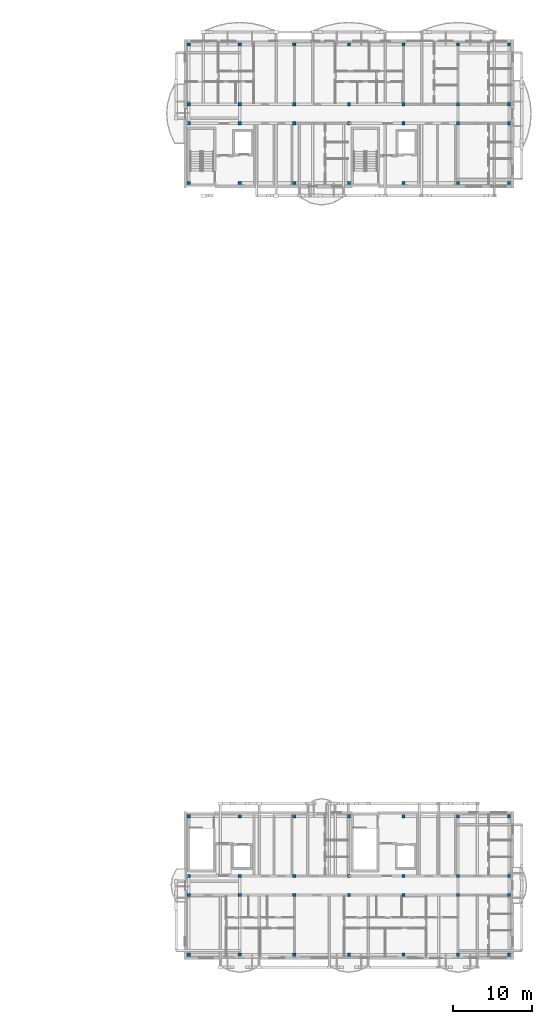
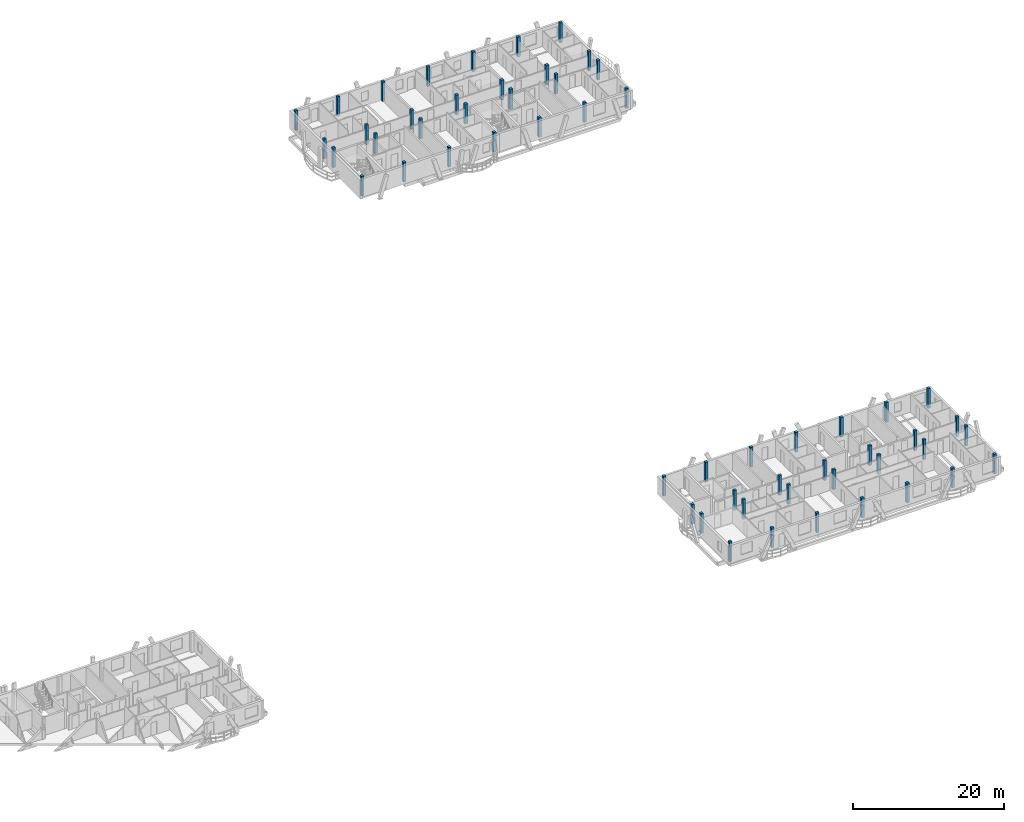
# One storey, part 2 of 41: 56 columns.
"""IFC4 building model written with IfcOpenShell, lengths in metres."""

from ifc_helpers import new_model, si_unit, direction, frame, origin, origin_2d, place, context, subcontext, project, spatial, rectangle, extrude, material, material_profile, profile_set, type_object, element, save


model = new_model("IFC4")

# Units and contexts
model_context = context("Model", 3, precision=1e-05, world=origin(), true_north=direction((0.0, 1.0)))
body_context = subcontext(model_context, "Body", "Model", "MODEL_VIEW")
ifc_project = project(units=[si_unit("LENGTHUNIT", "METRE"), si_unit("AREAUNIT", "SQUARE_METRE"), si_unit("VOLUMEUNIT", "CUBIC_METRE"), si_unit("PLANEANGLEUNIT", "RADIAN"), si_unit("MASSUNIT", "GRAM", prefix="KILO")], contexts=[model_context])

# Site, building, storey
site_placement = place(None, origin())
site = spatial("IfcSite", under=ifc_project, at=site_placement, CompositionType="ELEMENT")
building_placement = place(site_placement, origin())
building = spatial("IfcBuilding", under=site, at=building_placement, Name="Zavelmont Quarter", CompositionType="ELEMENT")
storey_placement = place(building_placement, frame((0.0, 0.0, 27.199951171875)))
storey = spatial("IfcBuildingStorey", under=building, at=storey_placement, Name="L08", CompositionType="ELEMENT", Elevation=27.199951171875)

# Columns
ifc_material = material(Name="Concrete C35/45", Category="concrete")
ifc_material_profile = material_profile(ifc_material, rectangle(XDim=0.39990234375, YDim=0.39990234375, at=origin_2d()), Name="RC400X400")
ifc_profile_set = profile_set([ifc_material_profile], Name="Concrete C35/45")
column_type = type_object("IfcColumnType", Name="CL05", PredefinedType="COLUMN", material=ifc_profile_set)
for number, where, z_axis, x_axis, name in (
    (1, (127.0400390625, 98.0400390625, 0.0), (0.0, 0.0, 1.0), (1.0, 0.0, 0.0), "L08 column CL05 at 19/P"),
    (2, (127.0400390625, 105.60009765625, 0.0), (0.0, 0.0, 1.0), (1.0, 0.0, 0.0), "L08 column CL05 at 19/Q"),
    (3, (127.0400390625, 108.0, 0.0), (0.0, 0.0, 1.0), (1.0, 0.0, 0.0), "L08 column CL05 at 19/R"),
    (4, (127.0400390625, 115.56005859375, 0.0), (0.0, 0.0, 1.0), (1.0, 0.0, 0.0), "L08 column CL05 at 19/S"),
    (5, (133.5, 98.0400390625, 0.0), (0.0, 0.0, 1.0), (1.0, 0.0, 0.0), "L08 column CL05 at 20/P"),
    (6, (133.5, 105.60009765625, 0.0), (0.0, 0.0, 1.0), (1.0, 0.0, 0.0), "L08 column CL05 at 20/Q"),
    (7, (133.5, 108.0, 0.0), (0.0, 0.0, 1.0), (1.0, 0.0, 0.0), "L08 column CL05 at 20/R"),
    (8, (133.5, 115.56005859375, 0.0), (0.0, 0.0, 1.0), (1.0, 0.0, 0.0), "L08 column CL05 at 20/S"),
    (9, (140.39990234375, 98.0400390625, 0.0), (0.0, 0.0, 1.0), (1.0, 0.0, 0.0), "L08 column CL05 at 21/P"),
    (10, (140.39990234375, 105.60009765625, 0.0), (0.0, 0.0, 1.0), (1.0, 0.0, 0.0), "L08 column CL05 at 21/Q"),
    (11, (140.39990234375, 108.0, 0.0), (0.0, 0.0, 1.0), (1.0, 0.0, 0.0), "L08 column CL05 at 21/R"),
    (12, (140.39990234375, 115.56005859375, 0.0), (0.0, 0.0, 1.0), (1.0, 0.0, 0.0), "L08 column CL05 at 21/S"),
    (13, (147.300048828125, 98.0400390625, 0.0), (0.0, 0.0, 1.0), (1.0, 0.0, 0.0), "L08 column CL05 at 22/P"),
    (14, (147.300048828125, 105.60009765625, 0.0), (0.0, 0.0, 1.0), (1.0, 0.0, 0.0), "L08 column CL05 at 22/Q"),
    (15, (147.300048828125, 108.0, 0.0), (0.0, 0.0, 1.0), (1.0, 0.0, 0.0), "L08 column CL05 at 22/R"),
    (16, (147.300048828125, 115.56005859375, 0.0), (0.0, 0.0, 1.0), (1.0, 0.0, 0.0), "L08 column CL05 at 22/S"),
    (17, (154.199951171875, 98.0400390625, 0.0), (0.0, 0.0, 1.0), (1.0, 0.0, 0.0), "L08 column CL05 at 23/P"),
    (18, (154.199951171875, 105.60009765625, 0.0), (0.0, 0.0, 1.0), (1.0, 0.0, 0.0), "L08 column CL05 at 23/Q"),
    (19, (154.199951171875, 108.0, 0.0), (0.0, 0.0, 1.0), (1.0, 0.0, 0.0), "L08 column CL05 at 23/R"),
    (20, (154.199951171875, 115.56005859375, 0.0), (0.0, 0.0, 1.0), (1.0, 0.0, 0.0), "L08 column CL05 at 23/S"),
    (21, (161.10009765625, 98.0400390625, 0.0), (0.0, 0.0, 1.0), (1.0, 0.0, 0.0), "L08 column CL05 at 24/P"),
    (22, (161.10009765625, 105.60009765625, 0.0), (0.0, 0.0, 1.0), (1.0, 0.0, 0.0), "L08 column CL05 at 24/Q"),
    (23, (161.10009765625, 108.0, 0.0), (0.0, 0.0, 1.0), (1.0, 0.0, 0.0), "L08 column CL05 at 24/R"),
    (24, (161.10009765625, 115.56005859375, 0.0), (0.0, 0.0, 1.0), (1.0, 0.0, 0.0), "L08 column CL05 at 24/S"),
    (25, (167.56005859375, 98.0400390625, 0.0), (0.0, 0.0, 1.0), (1.0, 0.0, 0.0), "L08 column CL05 at 25/P"),
    (26, (167.56005859375, 105.60009765625, 0.0), (0.0, 0.0, 1.0), (1.0, 0.0, 0.0), "L08 column CL05 at 25/Q"),
    (27, (167.56005859375, 108.0, 0.0), (0.0, 0.0, 1.0), (1.0, 0.0, 0.0), "L08 column CL05 at 25/R"),
    (28, (167.56005859375, 115.56005859375, 0.0), (0.0, 0.0, 1.0), (1.0, 0.0, 0.0), "L08 column CL05 at 25/S"),
    (29, (127.0400390625, 0.43994140625, 0.0), (0.0, 0.0, 1.0), (1.0, 0.0, 0.0), "L08 column CL05 at 19/A"),
    (30, (127.0400390625, 8.0, 0.0), (0.0, 0.0, 1.0), (1.0, 0.0, 0.0), "L08 column CL05 at 19/B"),
    (31, (127.0400390625, 10.39990234375, 0.0), (0.0, 0.0, 1.0), (1.0, 0.0, 0.0), "L08 column CL05 at 19/C"),
    (32, (127.0400390625, 17.9599609375, 0.0), (0.0, 0.0, 1.0), (1.0, 0.0, 0.0), "L08 column CL05 at 19/D"),
    (33, (133.5, 0.43994140625, 0.0), (0.0, 0.0, 1.0), (1.0, 0.0, 0.0), "L08 column CL05 at 20/A"),
    (34, (133.5, 8.0, 0.0), (0.0, 0.0, 1.0), (1.0, 0.0, 0.0), "L08 column CL05 at 20/B"),
    (35, (133.5, 10.39990234375, 0.0), (0.0, 0.0, 1.0), (1.0, 0.0, 0.0), "L08 column CL05 at 20/C"),
    (36, (133.5, 17.9599609375, 0.0), (0.0, 0.0, 1.0), (1.0, 0.0, 0.0), "L08 column CL05 at 20/D"),
    (37, (140.39990234375, 0.43994140625, 0.0), (0.0, 0.0, 1.0), (1.0, 0.0, 0.0), "L08 column CL05 at 21/A"),
    (38, (140.39990234375, 8.0, 0.0), (0.0, 0.0, 1.0), (1.0, 0.0, 0.0), "L08 column CL05 at 21/B"),
    (39, (140.39990234375, 10.39990234375, 0.0), (0.0, 0.0, 1.0), (1.0, 0.0, 0.0), "L08 column CL05 at 21/C"),
    (40, (140.39990234375, 17.9599609375, 0.0), (0.0, 0.0, 1.0), (1.0, 0.0, 0.0), "L08 column CL05 at 21/D"),
    (41, (147.300048828125, 0.43994140625, 0.0), (0.0, 0.0, 1.0), (1.0, 0.0, 0.0), "L08 column CL05 at 22/A"),
    (42, (147.300048828125, 8.0, 0.0), (0.0, 0.0, 1.0), (1.0, 0.0, 0.0), "L08 column CL05 at 22/B"),
    (43, (147.300048828125, 10.39990234375, 0.0), (0.0, 0.0, 1.0), (1.0, 0.0, 0.0), "L08 column CL05 at 22/C"),
    (44, (147.300048828125, 17.9599609375, 0.0), (0.0, 0.0, 1.0), (1.0, 0.0, 0.0), "L08 column CL05 at 22/D"),
    (45, (154.199951171875, 0.43994140625, 0.0), (0.0, 0.0, 1.0), (1.0, 0.0, 0.0), "L08 column CL05 at 23/A"),
    (46, (154.199951171875, 8.0, 0.0), (0.0, 0.0, 1.0), (1.0, 0.0, 0.0), "L08 column CL05 at 23/B"),
    (47, (154.199951171875, 10.39990234375, 0.0), (0.0, 0.0, 1.0), (1.0, 0.0, 0.0), "L08 column CL05 at 23/C"),
    (48, (154.199951171875, 17.9599609375, 0.0), (0.0, 0.0, 1.0), (1.0, 0.0, 0.0), "L08 column CL05 at 23/D"),
    (49, (161.10009765625, 0.43994140625, 0.0), (0.0, 0.0, 1.0), (1.0, 0.0, 0.0), "L08 column CL05 at 24/A"),
    (50, (161.10009765625, 8.0, 0.0), (0.0, 0.0, 1.0), (1.0, 0.0, 0.0), "L08 column CL05 at 24/B"),
    (51, (161.10009765625, 10.39990234375, 0.0), (0.0, 0.0, 1.0), (1.0, 0.0, 0.0), "L08 column CL05 at 24/C"),
    (52, (161.10009765625, 17.9599609375, 0.0), (0.0, 0.0, 1.0), (1.0, 0.0, 0.0), "L08 column CL05 at 24/D"),
    (53, (167.56005859375, 0.43994140625, 0.0), (0.0, 0.0, 1.0), (1.0, 0.0, 0.0), "L08 column CL05 at 25/A"),
    (54, (167.56005859375, 8.0, 0.0), (0.0, 0.0, 1.0), (1.0, 0.0, 0.0), "L08 column CL05 at 25/B"),
    (55, (167.56005859375, 10.39990234375, 0.0), (0.0, 0.0, 1.0), (1.0, 0.0, 0.0), "L08 column CL05 at 25/C"),
    (56, (167.56005859375, 17.9599609375, 0.0), (0.0, 0.0, 1.0), (1.0, 0.0, 0.0), "L08 column CL05 at 25/D"),
):
    element("IfcColumn", number, at=place(storey_placement, frame(where, z_axis=z_axis, x_axis=x_axis)), inside=storey, type_object=column_type, Name=name, PredefinedType="COLUMN", context=body_context, shape_type="SweptSolid", body=[
        extrude(rectangle(XDim=0.39990234375, YDim=0.39990234375, at=origin_2d()), origin(), (0.0, 0.0, 1.0), 3.199951171875),
    ])

save(model, "model.ifc")
